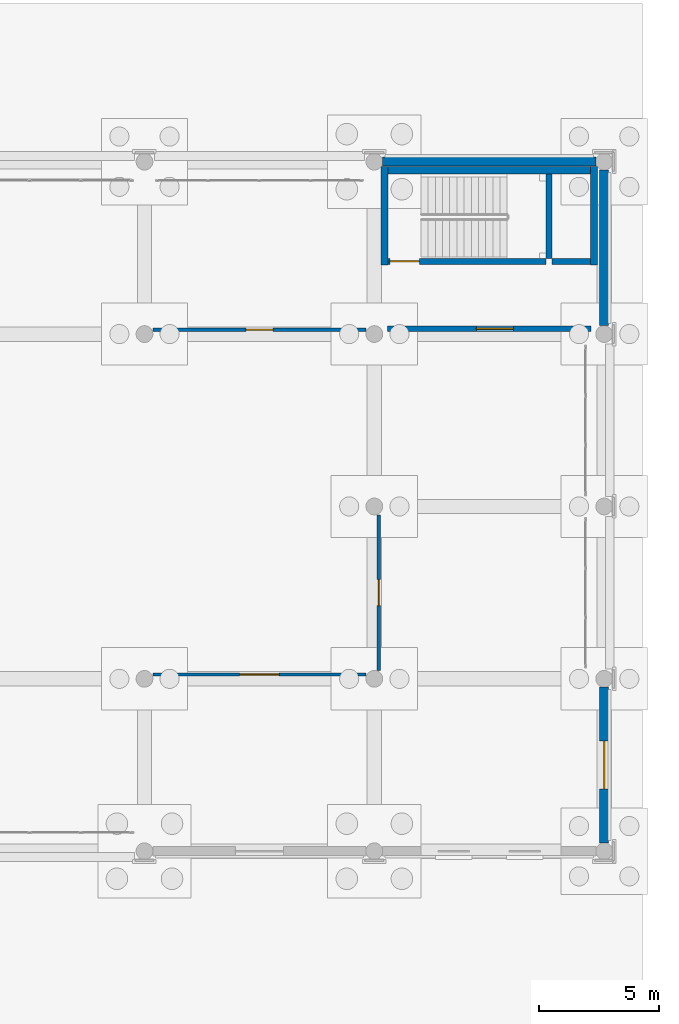
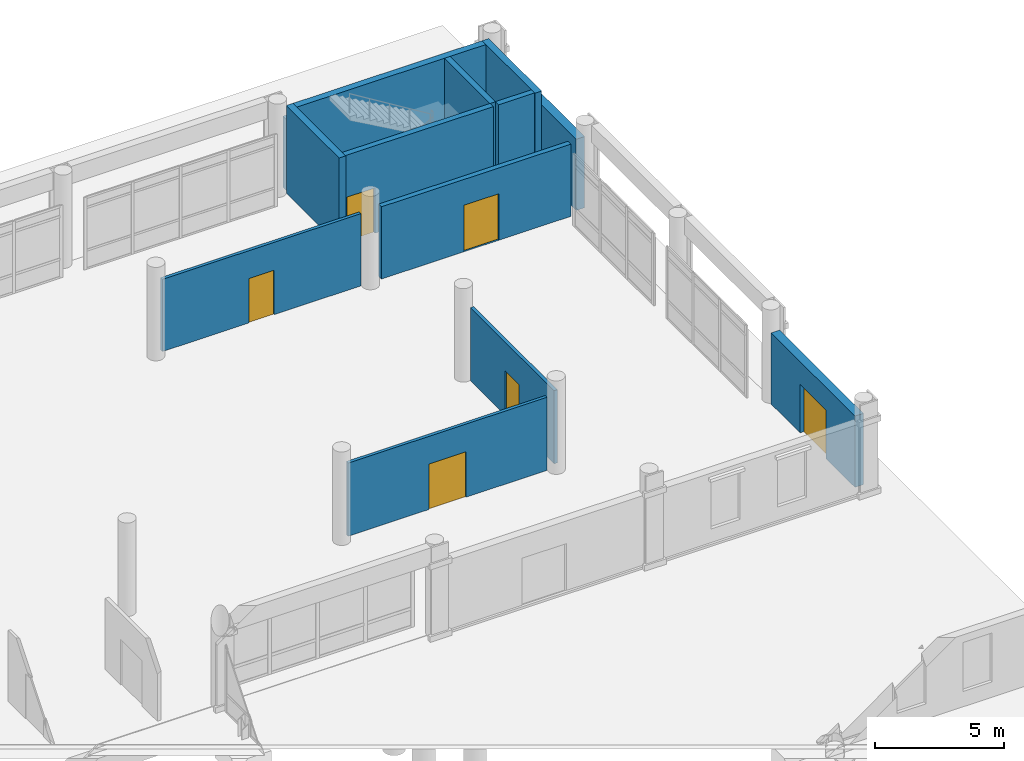
# One storey, part 167 of 196: 13 walls, 6 doors, 6 openings.
"""IFC4 building model written with IfcOpenShell, lengths in metres."""

from ifc_helpers import new_model, si_unit, direction, frame, frame_2d, origin, place, context, subcontext, project, spatial, rectangle, extrude, material, layer, layer_set, type_object, element, fill, save


model = new_model("IFC4")

# Units and contexts
model_context = context("Model", 3, precision=1e-05, world=origin(), true_north=direction((0.0, 1.0)))
body_context = subcontext(model_context, "Body", "Model", "MODEL_VIEW")
ifc_project = project(units=[si_unit("LENGTHUNIT", "METRE"), si_unit("AREAUNIT", "SQUARE_METRE"), si_unit("VOLUMEUNIT", "CUBIC_METRE"), si_unit("PLANEANGLEUNIT", "RADIAN"), si_unit("MASSUNIT", "GRAM", prefix="KILO")], contexts=[model_context])

# Site, building, storey
site_placement = place(None, origin())
site = spatial("IfcSite", under=ifc_project, at=site_placement, CompositionType="ELEMENT")
building_placement = place(site_placement, origin())
building = spatial("IfcBuilding", under=site, at=building_placement, Name="Asteropetra Specialist Clinic", CompositionType="ELEMENT")
storey_placement = place(building_placement, origin())
storey = spatial("IfcBuildingStorey", under=building, at=storey_placement, Name="L00", CompositionType="ELEMENT", Elevation=0.0)

# Wall
ifc_material_1 = material(Name="Pentelic marble ashlar", Category="masonry")
ifc_layer_1 = layer(ifc_material_1, 0.3798828125)
ifc_layer_set_1 = layer_set([ifc_layer_1], Name="Pentelic marble ashlar")
wall_type_1 = type_object("IfcWallType", Name="EW-PENTELIC-380", PredefinedType="SOLIDWALL", material=ifc_layer_set_1)
wall_1_placement = place(storey_placement, frame((153.25, 105.60009765625, 0.0), z_axis=(0.0, 0.0, 1.0), x_axis=(-1.0, 0.0, 0.0)))
element("IfcWall", 1, at=wall_1_placement, inside=storey, type_object=wall_type_1, Name="Exterior Wall EW-0007", PredefinedType="SOLIDWALL", context=body_context, shape_type="SweptSolid", body=[
    extrude(rectangle(XDim=8.89990234375, YDim=0.3798828125, at=frame_2d((4.449951171875, 0.0))), origin(), (0.0, 0.0, 1.0), 3.3701171875),
])

# Wall, opening, door
wall_2_placement = place(storey_placement, frame((153.60009765625, 77.14990234375, 0.0), z_axis=(0.0, 0.0, 1.0), x_axis=(0.0, 1.0, 0.0)))
wall_2 = element("IfcWall", 2, at=wall_2_placement, inside=storey, type_object=wall_type_1, Name="Exterior Wall EW-0008", PredefinedType="SOLIDWALL", context=body_context, shape_type="SweptSolid", body=[
    extrude(rectangle(XDim=6.5, YDim=0.3798828125, at=frame_2d((3.25, 0.0))), origin(), (0.0, 0.0, 1.0), 3.3701171875),
])
opening_1_placement = place(wall_2_placement, frame((2.25, 0.0, 0.0)))
opening_1 = element("IfcOpeningElement", 3, at=opening_1_placement, cuts=wall_2, Name="Opening ED-004", PredefinedType="OPENING", context=body_context, shape_type="SweptSolid", body=[
    extrude(rectangle(XDim=2.0, YDim=2.300048828125, at=frame_2d((1.0, 1.14990234375))), frame((0.0, 0.199951171875, 0.0), z_axis=(0.0, -1.0, 0.0), x_axis=(1.0, 0.0, 0.0)), (0.0, 0.0, 1.0), 0.39990234375),
])
ifc_material_2 = material(Name="Bronze aluminium and safety glass", Category="aluminium")
door_type_1 = type_object("IfcDoorType", Name="EDR-EXIT-2000", OperationType="DOUBLE_DOOR_SINGLE_SWING", PredefinedType="DOOR", material=ifc_material_2)
door_1_placement = place(opening_1_placement, origin())
door_1 = element("IfcDoor", 4, at=door_1_placement, inside=storey, type_object=door_type_1, Name="Exterior Door ED-004", OperationType="DOUBLE_DOOR_SINGLE_SWING", OverallHeight=2.300048828125, OverallWidth=2.0, PredefinedType="DOOR", context=body_context, shape_type="SweptSolid", body=[
    extrude(rectangle(XDim=2.0, YDim=2.300048828125, at=frame_2d((1.0, 1.14990234375))), frame((0.0, 0.02490234375, 0.0), z_axis=(0.0, -1.0, 0.0), x_axis=(1.0, 0.0, 0.0)), (0.0, 0.0, 1.0), 0.050048828125),
])
fill(opening_1, door_1)

# Wall
wall_3_placement = place(storey_placement, frame((153.60009765625, 98.75, 0.0), z_axis=(0.0, 0.0, 1.0), x_axis=(0.0, 1.0, 0.0)))
element("IfcWall", 5, at=wall_3_placement, inside=storey, type_object=wall_type_1, Name="Exterior Wall EW-0010", PredefinedType="SOLIDWALL", context=body_context, shape_type="SweptSolid", body=[
    extrude(rectangle(XDim=6.5, YDim=0.3798828125, at=frame_2d((3.25, 0.0))), origin(), (0.0, 0.0, 1.0), 3.3701171875),
])

# Wall, opening, door
ifc_material_3 = material(Name="Fire-rated masonry and gypsum", Category="masonry")
ifc_layer_2 = layer(ifc_material_3, 0.219970703125)
ifc_layer_set_2 = layer_set([ifc_layer_2], Name="Fire-rated masonry and gypsum")
wall_type_2 = type_object("IfcWallType", Name="W-COMP-220", PredefinedType="PARTITIONING", material=ifc_layer_set_2)
wall_4_placement = place(storey_placement, frame((144.56005859375, 98.6201171875, 0.0), z_axis=(0.0, 0.0, 1.0), x_axis=(1.0, 0.0, 0.0)))
wall_4 = element("IfcWall", 6, at=wall_4_placement, inside=storey, type_object=wall_type_2, Name="Core Wall CW-C12-L00-LOB", PredefinedType="PARTITIONING", context=body_context, shape_type="SweptSolid", body=[
    extrude(rectangle(XDim=8.47998046875, YDim=0.219970703125, at=frame_2d((4.239990234375, 0.0))), origin(), (0.0, 0.0, 1.0), 3.419921875),
])
opening_2_placement = place(wall_4_placement, frame((3.699951171875, 0.0, 0.0)))
opening_2 = element("IfcOpeningElement", 7, at=opening_2_placement, cuts=wall_4, Name="Opening FD-100", PredefinedType="OPENING", context=body_context, shape_type="SweptSolid", body=[
    extrude(rectangle(XDim=1.550048828125, YDim=2.199951171875, at=frame_2d((0.77490234375, 1.10009765625))), frame((0.0, 0.119873046875, 0.0), z_axis=(0.0, -1.0, 0.0), x_axis=(1.0, 0.0, 0.0)), (0.0, 0.0, 1.0), 0.239990234375),
])
ifc_material_4 = material(Name="Fire-rated steel and vision glass door", Category="steel")
door_type_2 = type_object("IfcDoorType", Name="FD-LOBBY-1550", OperationType="DOUBLE_DOOR_SINGLE_SWING", PredefinedType="DOOR", material=ifc_material_4)
door_2_placement = place(opening_2_placement, origin())
door_2 = element("IfcDoor", 8, at=door_2_placement, inside=storey, type_object=door_type_2, Name="Lobby Fire Door FD-100", OperationType="DOUBLE_DOOR_SINGLE_SWING", OverallHeight=2.199951171875, OverallWidth=1.550048828125, PredefinedType="DOOR", context=body_context, shape_type="SweptSolid", body=[
    extrude(rectangle(XDim=1.550048828125, YDim=2.199951171875, at=frame_2d((0.77490234375, 1.10009765625))), frame((0.0, 0.02490234375, 0.0), z_axis=(0.0, -1.0, 0.0), x_axis=(1.0, 0.0, 0.0)), (0.0, 0.0, 1.0), 0.050048828125),
])
fill(opening_2, door_2)

# Walls
ifc_material_5 = material(Name="Concrete C35/45", Category="concrete")
ifc_layer_3 = layer(ifc_material_5, 0.300048828125)
ifc_layer_set_3 = layer_set([ifc_layer_3], Name="Concrete C35/45")
wall_type_3 = type_object("IfcWallType", Name="W-CORE-300", PredefinedType="SHEAR", material=ifc_layer_set_3)
for number, where, z_axis, x_axis, name in (
    (9, (144.419921875, 101.2900390625, 0.0), (0.0, 0.0, 1.0), (0.0, 1.0, 0.0), "Core Wall CW-C12-L00-W"),
    (10, (153.179931640625, 101.2900390625, 0.0), (0.0, 0.0, 1.0), (0.0, 1.0, 0.0), "Core Wall CW-C12-L00-E"),
):
    element("IfcWall", number, at=place(storey_placement, frame(where, z_axis=z_axis, x_axis=x_axis)), inside=storey, type_object=wall_type_3, Name=name, PredefinedType="SHEAR", context=body_context, shape_type="SweptSolid", body=[
        extrude(rectangle(XDim=4.099853515625, YDim=0.300048828125, at=frame_2d((2.0498046875, 0.0))), origin(), (0.0, 0.0, 1.0), 4.139892578125),
    ])
wall_5_placement = place(storey_placement, frame((144.56494140625, 105.239990234375, 0.0), z_axis=(0.0, 0.0, 1.0), x_axis=(1.0, 0.0, 0.0)))
element("IfcWall", 11, at=wall_5_placement, inside=storey, type_object=wall_type_3, Name="Core Wall CW-C12-L00-BACK", PredefinedType="SHEAR", context=body_context, shape_type="SweptSolid", body=[
    extrude(rectangle(XDim=8.469970703125, YDim=0.300048828125, at=frame_2d((4.23486328125, 0.0))), origin(), (0.0, 0.0, 1.0), 4.139892578125),
])

# Wall, opening, door
ifc_material_6 = material(Name="Laboratory partition", Category="masonry")
ifc_layer_4 = layer(ifc_material_6, 0.139892578125)
ifc_layer_set_4 = layer_set([ifc_layer_4], Name="Laboratory partition")
wall_type_4 = type_object("IfcWallType", Name="W-PART-140", PredefinedType="PARTITIONING", material=ifc_layer_set_4)
wall_6_placement = place(storey_placement, frame((134.7548828125, 84.179931640625, 0.0), z_axis=(0.0, 0.0, 1.0), x_axis=(1.0, 0.0, 0.0)))
wall_6 = element("IfcWall", 12, at=wall_6_placement, inside=storey, type_object=wall_type_4, Name="Interior Partition PW-0042", PredefinedType="PARTITIONING", context=body_context, shape_type="SweptSolid", body=[
    extrude(rectangle(XDim=8.89013671875, YDim=0.139892578125, at=frame_2d((4.445068359375, 0.0))), origin(), (0.0, 0.0, 1.0), 3.4599609375),
])
opening_3_placement = place(wall_6_placement, frame((3.6201171875, 0.0, 0.0)))
opening_3 = element("IfcOpeningElement", 13, at=opening_3_placement, cuts=wall_6, Name="Opening ID-0016", PredefinedType="OPENING", context=body_context, shape_type="SweptSolid", body=[
    extrude(rectangle(XDim=1.64990234375, YDim=2.14990234375, at=frame_2d((0.824951171875, 1.074951171875))), frame((0.0, 0.079833984375, 0.0), z_axis=(0.0, -1.0, 0.0), x_axis=(1.0, 0.0, 0.0)), (0.0, 0.0, 1.0), 0.159912109375),
])
ifc_material_7 = material(Name="Antimicrobial laminate timber leaf in steel frame", Category="steel")
door_type_3 = type_object("IfcDoorType", Name="ID-PROC-1650", OperationType="DOUBLE_DOOR_SINGLE_SWING", PredefinedType="DOOR", material=ifc_material_7)
door_3_placement = place(opening_3_placement, origin())
door_3 = element("IfcDoor", 14, at=door_3_placement, inside=storey, type_object=door_type_3, Name="Interior Door ID-0016", OperationType="DOUBLE_DOOR_SINGLE_SWING", OverallHeight=2.14990234375, OverallWidth=1.64990234375, PredefinedType="DOOR", context=body_context, shape_type="SweptSolid", body=[
    extrude(rectangle(XDim=1.64990234375, YDim=2.14990234375, at=frame_2d((0.824951171875, 1.074951171875))), frame((0.0, 0.02490234375, 0.0), z_axis=(0.0, -1.0, 0.0), x_axis=(1.0, 0.0, 0.0)), (0.0, 0.0, 1.0), 0.050048828125),
])
fill(opening_3, door_3)

wall_7_placement = place(storey_placement, frame((134.7548828125, 98.580078125, 0.0), z_axis=(0.0, 0.0, 1.0), x_axis=(1.0, 0.0, 0.0)))
wall_7 = element("IfcWall", 15, at=wall_7_placement, inside=storey, type_object=wall_type_4, Name="Interior Partition PW-0047", PredefinedType="PARTITIONING", context=body_context, shape_type="SweptSolid", body=[
    extrude(rectangle(XDim=8.89013671875, YDim=0.139892578125, at=frame_2d((4.445068359375, 0.0))), origin(), (0.0, 0.0, 1.0), 3.419921875),
])
opening_4_placement = place(wall_7_placement, frame((3.885009765625, 0.0, 0.0)))
opening_4 = element("IfcOpeningElement", 16, at=opening_4_placement, cuts=wall_7, Name="Opening ID-0021", PredefinedType="OPENING", context=body_context, shape_type="SweptSolid", body=[
    extrude(rectangle(XDim=1.1201171875, YDim=2.10009765625, at=frame_2d((0.56005859375, 1.050048828125))), frame((0.0, 0.079833984375, 0.0), z_axis=(0.0, -1.0, 0.0), x_axis=(1.0, 0.0, 0.0)), (0.0, 0.0, 1.0), 0.159912109375),
])
ifc_material_8 = material(Name="Antimicrobial laminate timber leaf in steel frame", Category="steel")
door_type_4 = type_object("IfcDoorType", Name="ID-EXAM-1120", OperationType="SINGLE_SWING_RIGHT", PredefinedType="DOOR", material=ifc_material_8)
door_4_placement = place(opening_4_placement, origin())
door_4 = element("IfcDoor", 17, at=door_4_placement, inside=storey, type_object=door_type_4, Name="Interior Door ID-0021", OperationType="SINGLE_SWING_RIGHT", OverallHeight=2.10009765625, OverallWidth=1.1201171875, PredefinedType="DOOR", context=body_context, shape_type="SweptSolid", body=[
    extrude(rectangle(XDim=1.1201171875, YDim=2.10009765625, at=frame_2d((0.56005859375, 1.050048828125))), frame((0.0, 0.02490234375, 0.0), z_axis=(0.0, -1.0, 0.0), x_axis=(1.0, 0.0, 0.0)), (0.0, 0.0, 1.0), 0.050048828125),
])
fill(opening_4, door_4)

ifc_material_9 = material(Name="Clinical consulting partition", Category="masonry")
ifc_layer_5 = layer(ifc_material_9, 0.14990234375)
ifc_layer_set_5 = layer_set([ifc_layer_5], Name="Clinical consulting partition")
wall_type_5 = type_object("IfcWallType", Name="W-PART-150", PredefinedType="PARTITIONING", material=ifc_layer_set_5)
wall_8_placement = place(storey_placement, frame((144.179931640625, 84.35498046875, 0.0), z_axis=(0.0, 0.0, 1.0), x_axis=(0.0, 1.0, 0.0)))
wall_8 = element("IfcWall", 18, at=wall_8_placement, inside=storey, type_object=wall_type_5, Name="Interior Partition PW-0046", PredefinedType="PARTITIONING", context=body_context, shape_type="SweptSolid", body=[
    extrude(rectangle(XDim=6.489990234375, YDim=0.14990234375, at=frame_2d((3.2451171875, 0.0))), origin(), (0.0, 0.0, 1.0), 3.4599609375),
])
opening_5_placement = place(wall_8_placement, frame((2.705078125, 0.0, 0.0)))
opening_5 = element("IfcOpeningElement", 19, at=opening_5_placement, cuts=wall_8, Name="Opening ID-0020", PredefinedType="OPENING", context=body_context, shape_type="SweptSolid", body=[
    extrude(rectangle(XDim=1.080078125, YDim=2.10009765625, at=frame_2d((0.5400390625, 1.050048828125))), frame((0.0, 0.0849609375, 0.0), z_axis=(0.0, -1.0, 0.0), x_axis=(1.0, 0.0, 0.0)), (0.0, 0.0, 1.0), 0.169921875),
])
ifc_material_10 = material(Name="Antimicrobial laminate timber leaf in steel frame", Category="steel")
door_type_5 = type_object("IfcDoorType", Name="ID-EXAM-1080", OperationType="SINGLE_SWING_LEFT", PredefinedType="DOOR", material=ifc_material_10)
door_5_placement = place(opening_5_placement, origin())
door_5 = element("IfcDoor", 20, at=door_5_placement, inside=storey, type_object=door_type_5, Name="Interior Door ID-0020", OperationType="SINGLE_SWING_LEFT", OverallHeight=2.10009765625, OverallWidth=1.080078125, PredefinedType="DOOR", context=body_context, shape_type="SweptSolid", body=[
    extrude(rectangle(XDim=1.080078125, YDim=2.10009765625, at=frame_2d((0.5400390625, 1.050048828125))), frame((0.0, 0.02490234375, 0.0), z_axis=(0.0, -1.0, 0.0), x_axis=(1.0, 0.0, 0.0)), (0.0, 0.0, 1.0), 0.050048828125),
])
fill(opening_5, door_5)

# Wall
ifc_material_11 = material(Name="Concrete C35/45", Category="concrete")
ifc_layer_6 = layer(ifc_material_11, 0.25)
ifc_layer_set_6 = layer_set([ifc_layer_6], Name="Concrete C35/45")
wall_type_6 = type_object("IfcWallType", Name="W-SHAFT-250", PredefinedType="SHEAR", material=ifc_layer_set_6)
wall_9_placement = place(storey_placement, frame((151.300048828125, 101.56005859375, 0.0), z_axis=(0.0, 0.0, 1.0), x_axis=(0.0, 1.0, 0.0)))
element("IfcWall", 21, at=wall_9_placement, inside=storey, type_object=wall_type_6, Name="Core Wall CW-C12-L00-MID", PredefinedType="SHEAR", context=body_context, shape_type="SweptSolid", body=[
    extrude(rectangle(XDim=3.530029296875, YDim=0.25, at=frame_2d((1.76513671875, 0.0))), origin(), (0.0, 0.0, 1.0), 4.139892578125),
])

# Wall, opening, door
wall_10_placement = place(storey_placement, frame((144.56494140625, 101.43994140625, 0.0), z_axis=(0.0, 0.0, 1.0), x_axis=(1.0, 0.0, 0.0)))
wall_10 = element("IfcWall", 22, at=wall_10_placement, inside=storey, type_object=wall_type_6, Name="Core Wall CW-C12-L00-STDIV", PredefinedType="SHEAR", context=body_context, shape_type="SweptSolid", body=[
    extrude(rectangle(XDim=6.614990234375, YDim=0.25, at=frame_2d((3.3076171875, 0.0))), origin(), (0.0, 0.0, 1.0), 4.139892578125),
])
opening_6_placement = place(wall_10_placement, frame((0.080078125, 0.0, 0.0)))
opening_6 = element("IfcOpeningElement", 23, at=opening_6_placement, cuts=wall_10, Name="Opening FD-099", PredefinedType="OPENING", context=body_context, shape_type="SweptSolid", body=[
    extrude(rectangle(XDim=1.239990234375, YDim=2.14990234375, at=frame_2d((0.6201171875, 1.074951171875))), frame((0.0, 0.135009765625, 0.0), z_axis=(0.0, -1.0, 0.0), x_axis=(1.0, 0.0, 0.0)), (0.0, 0.0, 1.0), 0.27001953125),
])
ifc_material_12 = material(Name="Fire-rated steel and vision glass door", Category="steel")
door_type_6 = type_object("IfcDoorType", Name="FD-STAIR-1400", OperationType="DOUBLE_DOOR_SINGLE_SWING", PredefinedType="DOOR", material=ifc_material_12)
door_6_placement = place(opening_6_placement, origin())
door_6 = element("IfcDoor", 24, at=door_6_placement, inside=storey, type_object=door_type_6, Name="Stair Fire Door FD-099", OperationType="DOUBLE_DOOR_SINGLE_SWING", OverallHeight=2.14990234375, OverallWidth=1.239990234375, PredefinedType="DOOR", context=body_context, shape_type="SweptSolid", body=[
    extrude(rectangle(XDim=1.239990234375, YDim=2.14990234375, at=frame_2d((0.6201171875, 1.074951171875))), frame((0.0, 0.02490234375, 0.0), z_axis=(0.0, -1.0, 0.0), x_axis=(1.0, 0.0, 0.0)), (0.0, 0.0, 1.0), 0.050048828125),
])
fill(opening_6, door_6)

# Wall
wall_11_placement = place(storey_placement, frame((151.419921875, 101.43994140625, 0.0), z_axis=(0.0, 0.0, 1.0), x_axis=(1.0, 0.0, 0.0)))
element("IfcWall", 25, at=wall_11_placement, inside=storey, type_object=wall_type_6, Name="Lift Shaft Front Wall CW-C12-L00-LFTF", PredefinedType="SHEAR", context=body_context, shape_type="SweptSolid", body=[
    extrude(rectangle(XDim=1.614990234375, YDim=0.25, at=frame_2d((0.8076171875, 0.0))), origin(), (0.0, 0.0, 1.0), 4.139892578125),
])

save(model, "model.ifc")
